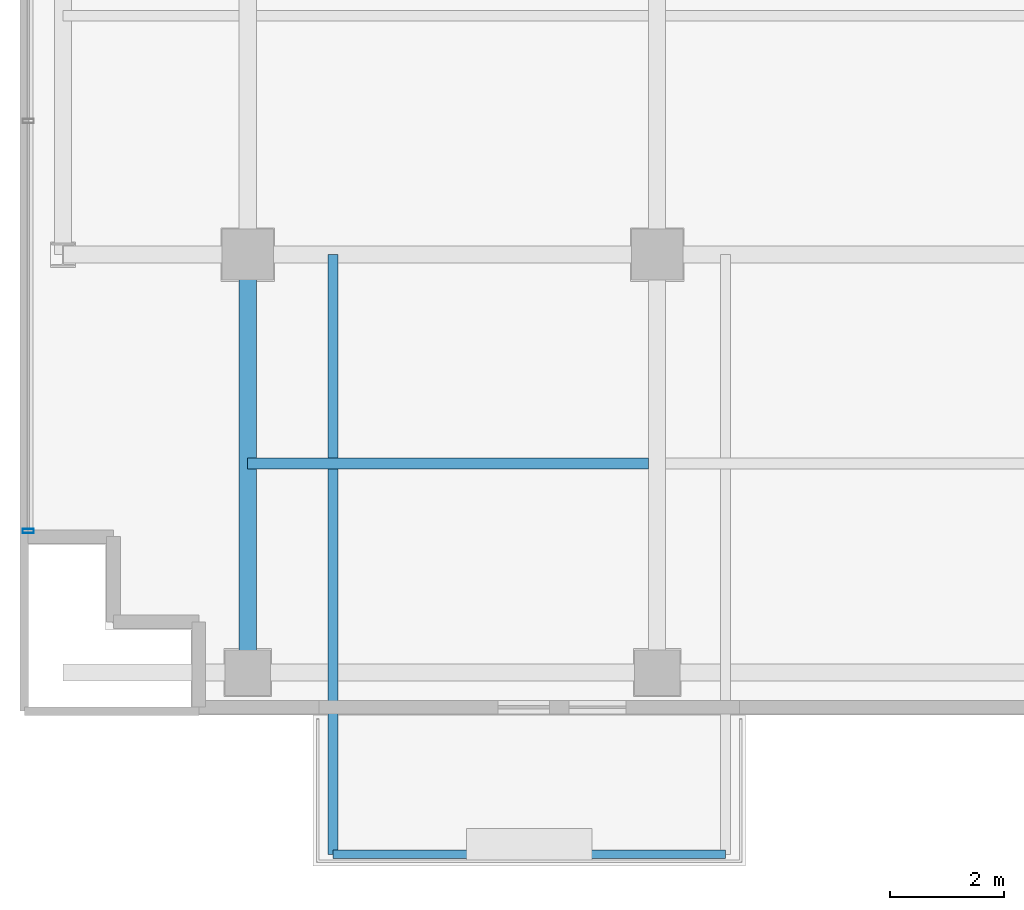
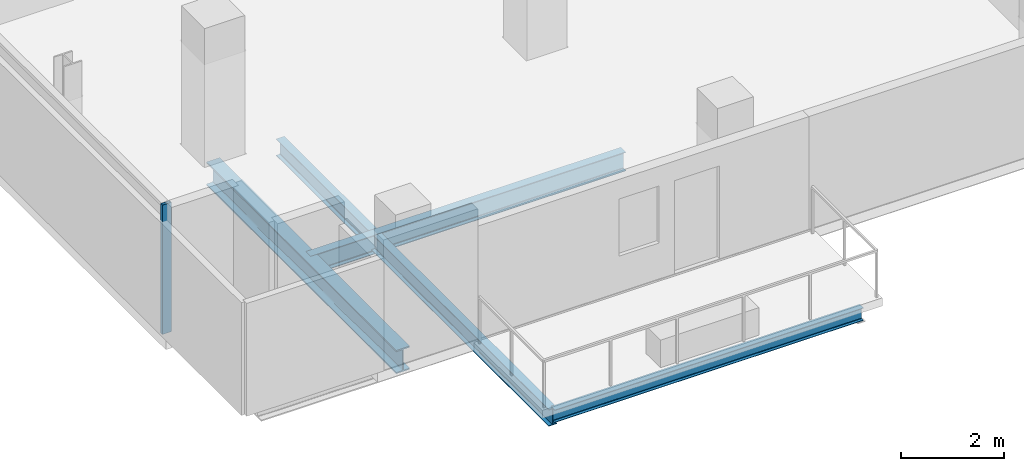
# One storey, part 2 of 24: 4 beams, 1 member, 1 element without a shape of its own.
"""IFC4 building model written with IfcOpenShell, lengths in metres."""

from ifc_helpers import new_model, si_unit, direction, frame, origin, origin_2d, place, context, subcontext, project, spatial, hollow_rectangle, i_section, extrude, source, transform, mapped, material, layer, layer_set, material_profile, profile_set, type_object, element, aggregate, save


model = new_model("IFC4")

# Units and contexts
model_context = context("Model", 3, precision=1e-05, world=origin(), true_north=direction((0.0, 1.0)))
body_context = subcontext(model_context, "Body", "Model", "MODEL_VIEW")
ifc_project = project(units=[si_unit("LENGTHUNIT", "METRE"), si_unit("AREAUNIT", "SQUARE_METRE"), si_unit("VOLUMEUNIT", "CUBIC_METRE"), si_unit("PLANEANGLEUNIT", "RADIAN"), si_unit("MASSUNIT", "GRAM", prefix="KILO")], contexts=[model_context])

# Site, building, storey
site_placement = place(None, origin())
site = spatial("IfcSite", under=ifc_project, at=site_placement, CompositionType="ELEMENT")
building_placement = place(site_placement, origin())
building = spatial("IfcBuilding", under=site, at=building_placement, Name="Zarnakvel Exchange Tower", CompositionType="ELEMENT")
storey_placement = place(building_placement, frame((0.0, 0.0, 133.0)))
storey = spatial("IfcBuildingStorey", under=building, at=storey_placement, Name="L37", CompositionType="ELEMENT", Elevation=133.0)

# Beams
ifc_material_1 = material(Name="Steel S355", Category="steel")
ifc_material_profile_1 = material_profile(ifc_material_1, i_section(OverallWidth=0.18994140625, OverallDepth=0.449951171875, WebThickness=0.009521484375, FlangeThickness=0.0146484375, FilletRadius=0.02099609375, at=origin_2d()))
ifc_profile_set_1 = profile_set([ifc_material_profile_1], Name="Steel S355")
beam_type_1 = type_object("IfcBeamType", Name="B-05", PredefinedType="JOIST", material=ifc_profile_set_1)
beam_1_placement = place(storey_placement, frame((-21.60009765625, -13.27490234375, -0.449951171875), z_axis=(1.0, 0.0, 0.0), x_axis=(0.0, 1.0, 0.0)))
element("IfcBeam", 1, at=beam_1_placement, inside=storey, type_object=beam_type_1, Name="L37 Composite Floor Secondary Joist", PredefinedType="JOIST", context=body_context, shape_type="SweptSolid", body=[
    extrude(i_section(OverallWidth=0.18994140625, OverallDepth=0.449951171875, WebThickness=0.009521484375, FlangeThickness=0.0146484375, FilletRadius=0.02099609375, at=origin_2d()), origin(), (0.0, 0.0, 1.0), 7.050048828125),
])
ifc_material_profile_2 = material_profile(ifc_material_1, i_section(OverallWidth=0.179931640625, OverallDepth=0.39990234375, WebThickness=0.008544921875, FlangeThickness=0.013427734375, FilletRadius=0.02099609375, at=origin_2d()))
ifc_profile_set_2 = profile_set([ifc_material_profile_2], Name="Steel S355")
beam_type_2 = type_object("IfcBeamType", Name="B-06", PredefinedType="JOIST", material=ifc_profile_set_2)
beam_2_placement = place(storey_placement, frame((-20.10009765625, -9.60009765625, -0.425048828125), z_axis=(0.0, -1.0, 0.0), x_axis=(1.0, 0.0, 0.0)))
element("IfcBeam", 2, at=beam_2_placement, inside=storey, type_object=beam_type_2, Name="L37 Continuous Back-Spanned Balcony Beam W", PredefinedType="JOIST", context=body_context, shape_type="SweptSolid", body=[
    extrude(i_section(OverallWidth=0.179931640625, OverallDepth=0.39990234375, WebThickness=0.008544921875, FlangeThickness=0.013427734375, FilletRadius=0.02099609375, at=origin_2d()), origin(), (0.0, 0.0, 1.0), 10.5498046875),
])
ifc_material_profile_3 = material_profile(ifc_material_1, i_section(OverallWidth=0.14990234375, OverallDepth=0.300048828125, WebThickness=0.007080078125, FlangeThickness=0.0107421875, FilletRadius=0.014892578125, at=origin_2d()))
ifc_profile_set_3 = profile_set([ifc_material_profile_3], Name="Steel S355")
beam_type_3 = type_object("IfcBeamType", Name="B-08", PredefinedType="JOIST", material=ifc_profile_set_3)
beam_3_placement = place(storey_placement, frame((-20.10009765625, -20.14990234375, -0.375), z_axis=(1.0, 0.0, 0.0), x_axis=(0.0, 1.0, 0.0)))
element("IfcBeam", 3, at=beam_3_placement, inside=storey, type_object=beam_type_3, Name="L37 Balcony Edge Beam", PredefinedType="JOIST", context=body_context, shape_type="SweptSolid", body=[
    extrude(i_section(OverallWidth=0.14990234375, OverallDepth=0.300048828125, WebThickness=0.007080078125, FlangeThickness=0.0107421875, FilletRadius=0.014892578125, at=origin_2d()), origin(), (0.0, 0.0, 1.0), 6.900146484375),
])
ifc_material_profile_4 = material_profile(ifc_material_1, i_section(OverallWidth=0.300048828125, OverallDepth=0.550048828125, WebThickness=0.014892578125, FlangeThickness=0.029052734375, FilletRadius=0.027099609375, at=origin_2d()))
ifc_profile_set_4 = profile_set([ifc_material_profile_4], Name="Steel S355")
beam_type_4 = type_object("IfcBeamType", Name="G-05", PredefinedType="BEAM", material=ifc_profile_set_4)
beam_4_placement = place(storey_placement, frame((-21.60009765625, -16.949951171875, -0.5), z_axis=(0.0, 1.0, 0.0), x_axis=(-1.0, 0.0, 0.0)))
element("IfcBeam", 4, at=beam_4_placement, inside=storey, type_object=beam_type_4, Name="L37 Tower N-S Frame Beam", PredefinedType="BEAM", context=body_context, shape_type="SweptSolid", body=[
    extrude(i_section(OverallWidth=0.300048828125, OverallDepth=0.550048828125, WebThickness=0.014892578125, FlangeThickness=0.029052734375, FilletRadius=0.027099609375, at=origin_2d()), origin(), (0.0, 0.0, 1.0), 7.349853515625),
])

# Curtain wall, member
ifc_material_2 = material(Name="Architectural Bronze Anodised Aluminium", Category="aluminium")
ifc_layer = layer(ifc_material_2, 0.199951171875)
ifc_layer_set = layer_set([ifc_layer], Name="Architectural Bronze Anodised Aluminium")
curtain_wall_type = type_object("IfcCurtainWallType", Name="CW-04", PredefinedType="NOTDEFINED", material=ifc_layer_set)
curtain_wall_placement = place(storey_placement, origin())
curtain_wall = element("IfcCurtainWall", 5, at=curtain_wall_placement, inside=storey, type_object=curtain_wall_type, Name="L37 Curtain Wall CW-L37-W1 (CW-04)", PredefinedType="NOTDEFINED")
ifc_material_profile_5 = material_profile(ifc_material_2, hollow_rectangle(XDim=0.199951171875, YDim=0.074951171875, WallThickness=0.0048828125, at=origin_2d()))
ifc_profile_set_5 = profile_set([ifc_material_profile_5], Name="Architectural Bronze Anodised Aluminium")
member_type = type_object("IfcMemberType", Name="CWM-04", PredefinedType="MULLION", material=ifc_profile_set_5)
shared_shape = source(origin(), body_context, "Body", "SweptSolid", [
    extrude(hollow_rectangle(XDim=0.199951171875, YDim=0.074951171875, WallThickness=0.0048828125, at=origin_2d()), origin(), (0.0, 0.0, 1.0), 3.054931640625),
])
member_placement = place(storey_placement, frame((-25.4599609375, -14.46240234375, 0.0), z_axis=(0.0, 0.0, 1.0), x_axis=(-1.0, 0.0, 0.0)))
member = element("IfcMember", 6, at=member_placement, type_object=member_type, Name="CW-04 mullion 1", PredefinedType="MULLION", context=body_context, shape_type="MappedRepresentation", body=[
    mapped(shared_shape, transform((0.0, 0.0, 0.0), x_axis=(1.0, 0.0, 0.0), y_axis=(0.0, 1.0, 0.0), z_axis=(0.0, 0.0, 1.0), scale=1.0)),
])
aggregate(curtain_wall, [member])

save(model, "model.ifc")
